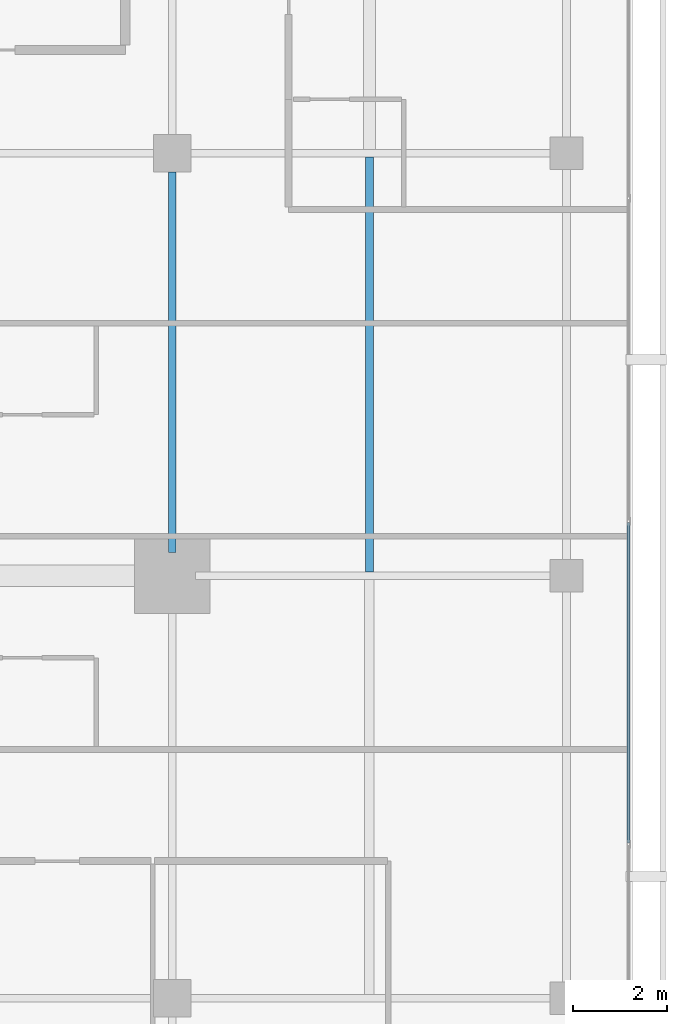
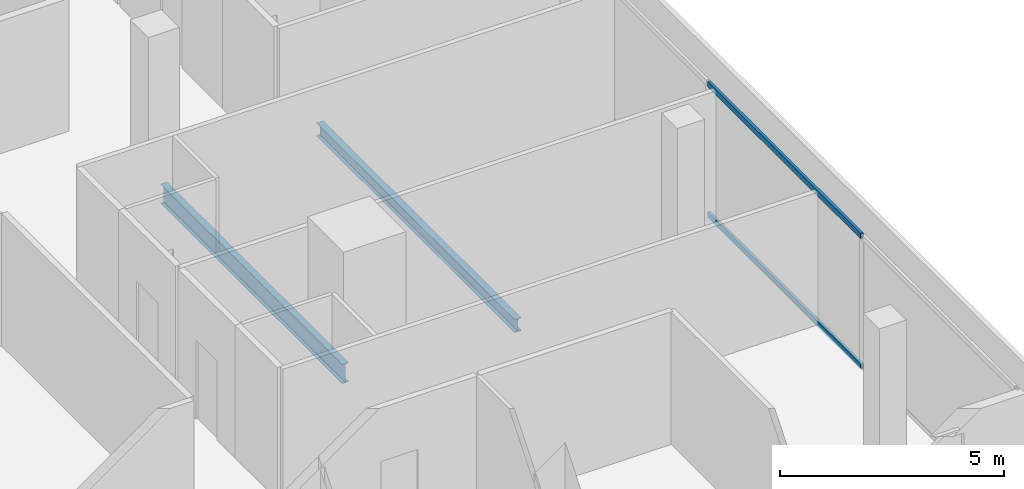
# One storey, part 13 of 26: 2 beams, 2 members, 1 element without a shape of its own.
"""IFC4 building model written with IfcOpenShell, lengths in metres."""

from ifc_helpers import new_model, si_unit, direction, frame, origin, origin_2d, place, context, subcontext, project, spatial, hollow_rectangle, i_section, extrude, material, layer, layer_set, material_profile, profile_set, type_object, element, aggregate, save


model = new_model("IFC4")

# Units and contexts
model_context = context("Model", 3, precision=1e-05, world=origin(), true_north=direction((0.0, 1.0)))
body_context = subcontext(model_context, "Body", "Model", "MODEL_VIEW")
ifc_project = project(units=[si_unit("LENGTHUNIT", "METRE"), si_unit("AREAUNIT", "SQUARE_METRE"), si_unit("VOLUMEUNIT", "CUBIC_METRE"), si_unit("PLANEANGLEUNIT", "RADIAN"), si_unit("MASSUNIT", "GRAM", prefix="KILO")], contexts=[model_context])

# Site, building, storey
site_placement = place(None, origin())
site = spatial("IfcSite", under=ifc_project, at=site_placement, CompositionType="ELEMENT")
building_placement = place(site_placement, origin())
building = spatial("IfcBuilding", under=site, at=building_placement, Name="Maruvema Waterfront Hotel and Observation Tower", CompositionType="ELEMENT")
storey_placement = place(building_placement, frame((0.0, 0.0, 301.0)))
storey = spatial("IfcBuildingStorey", under=building, at=storey_placement, Name="L74", CompositionType="ELEMENT", Elevation=301.0)

# Curtain wall, members
ifc_material_1 = material(Name="Anodised bronze aluminium and solar-control low-E IGU", Category="aluminium")
ifc_layer = layer(ifc_material_1, 0.159912109375, Name="Zone 3 Champagne Inner Thermal Curtain Wall System CW-04")
ifc_layer_set = layer_set([ifc_layer], Name="Anodised bronze aluminium and solar-control low-E IGU")
curtain_wall_type = type_object("IfcCurtainWallType", Name="Zone 3 Champagne Inner Thermal Curtain Wall System CW-04", PredefinedType="USERDEFINED", material=ifc_layer_set)
curtain_wall_placement = place(storey_placement, origin())
curtain_wall = element("IfcCurtainWall", 1, at=curtain_wall_placement, inside=storey, type_object=curtain_wall_type, Name="L74 Curtain Wall CW-L74-E", ObjectType="UNITISED CURTAIN WALL", PredefinedType="USERDEFINED")
ifc_material_2 = material(Name="Anodised architectural bronze aluminium", Category="aluminium")
ifc_material_profile_1 = material_profile(ifc_material_2, hollow_rectangle(XDim=0.070068359375, YDim=0.14990234375, WallThickness=0.00390625, at=origin_2d()), Name="ALU-T70x150")
ifc_profile_set_1 = profile_set([ifc_material_profile_1], Name="Anodised architectural bronze aluminium")
member_type = type_object("IfcMemberType", Name="Curtain Wall Horizontal Transom ALU-T70x150", PredefinedType="USERDEFINED", material=ifc_profile_set_1)
member_1_placement = place(storey_placement, frame((60.1201171875, 21.31005859375, 0.030029296875), z_axis=(0.0, 1.0, 0.0), x_axis=(-1.0, 0.0, 0.0)))
member_1 = element("IfcMember", 2, at=member_1_placement, type_object=member_type, Name="CW-04 transom 2.1", ObjectType="TRANSOM", PredefinedType="USERDEFINED", context=body_context, shape_type="SweptSolid", body=[
    extrude(hollow_rectangle(XDim=0.070068359375, YDim=0.14990234375, WallThickness=0.00390625, at=origin_2d()), origin(), (0.0, 0.0, 1.0), 6.81982421875),
])
member_2_placement = place(storey_placement, frame((60.1201171875, 21.31005859375, 3.580078125), z_axis=(0.0, 1.0, 0.0), x_axis=(-1.0, 0.0, 0.0)))
member_2 = element("IfcMember", 3, at=member_2_placement, type_object=member_type, Name="CW-04 transom 2.2", ObjectType="TRANSOM", PredefinedType="USERDEFINED", context=body_context, shape_type="SweptSolid", body=[
    extrude(hollow_rectangle(XDim=0.070068359375, YDim=0.14990234375, WallThickness=0.00390625, at=origin_2d()), origin(), (0.0, 0.0, 1.0), 6.81982421875),
])
aggregate(curtain_wall, [member_1, member_2])

# Beams
ifc_material_3 = material(Name="Steel ASTM A572 Grade 50", Category="steel")
ifc_material_profile_2 = material_profile(ifc_material_3, i_section(OverallWidth=0.166015625, OverallDepth=0.529052734375, WebThickness=0.009765625, FlangeThickness=0.013671875, FilletRadius=0.014892578125, at=origin_2d()), Name="W530x74.0")
ifc_profile_set_2 = profile_set([ifc_material_profile_2], Name="Steel ASTM A572 Grade 50")
beam_type_1 = type_object("IfcBeamType", Name="Primary Floor Girder W530x74.0", PredefinedType="BEAM", material=ifc_profile_set_2)
beam_1_placement = place(storey_placement, frame((50.39990234375, 27.5, -0.50439453125), z_axis=(0.0, 1.0, 0.0), x_axis=(-1.0, 0.0, 0.0)))
element("IfcBeam", 4, at=beam_1_placement, inside=storey, type_object=beam_type_1, Name="L74 Floor Girder NS-14", PredefinedType="BEAM", context=body_context, shape_type="SweptSolid", body=[
    extrude(i_section(OverallWidth=0.166015625, OverallDepth=0.529052734375, WebThickness=0.009765625, FlangeThickness=0.013671875, FilletRadius=0.014892578125, at=origin_2d()), origin(), (0.0, 0.0, 1.0), 8.10009765625),
])
ifc_material_4 = material(Name="Steel ASTM A572 Grade 50", Category="steel")
ifc_material_profile_3 = material_profile(ifc_material_4, i_section(OverallWidth=0.1708984375, OverallDepth=0.35498046875, WebThickness=0.007080078125, FlangeThickness=0.01171875, FilletRadius=0.014892578125, at=origin_2d()), Name="W360x51.0")
ifc_profile_set_3 = profile_set([ifc_material_profile_3], Name="Steel ASTM A572 Grade 50")
beam_type_2 = type_object("IfcBeamType", Name="Secondary Floor Joist W360x51.0", PredefinedType="JOIST", material=ifc_profile_set_3)
beam_2_placement = place(storey_placement, frame((54.60009765625, 27.0830078125, -0.41748046875), z_axis=(0.0, 1.0, 0.0), x_axis=(-1.0, 0.0, 0.0)))
element("IfcBeam", 5, at=beam_2_placement, inside=storey, type_object=beam_type_2, Name="L74 Secondary Floor Joist JS-08", PredefinedType="JOIST", context=body_context, shape_type="SweptSolid", body=[
    extrude(i_section(OverallWidth=0.1708984375, OverallDepth=0.35498046875, WebThickness=0.007080078125, FlangeThickness=0.01171875, FilletRadius=0.014892578125, at=origin_2d()), origin(), (0.0, 0.0, 1.0), 8.833984375),
])

save(model, "model.ifc")
